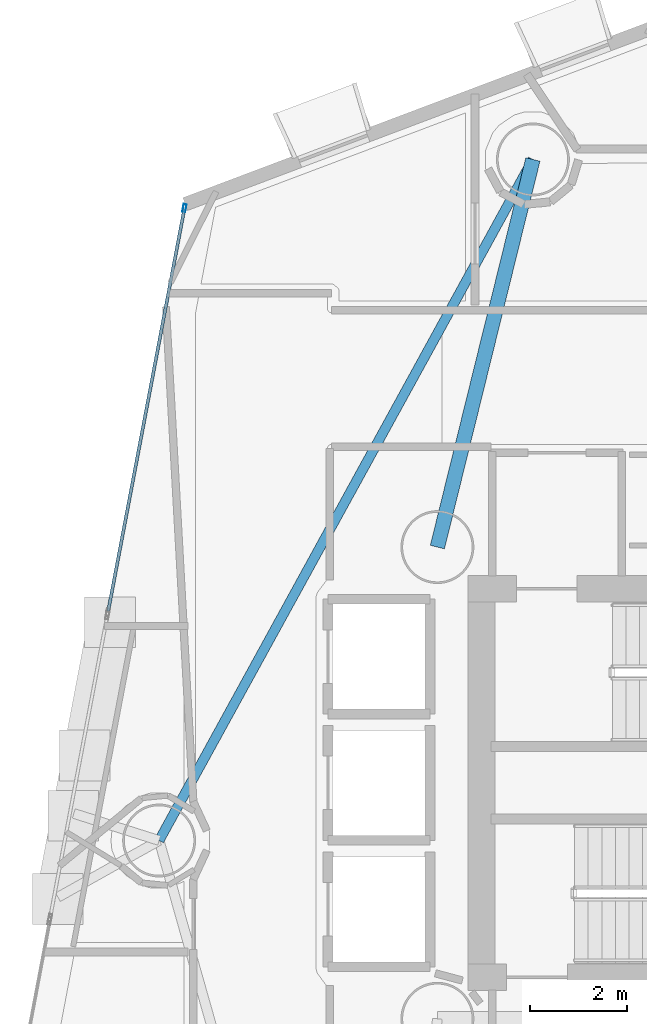
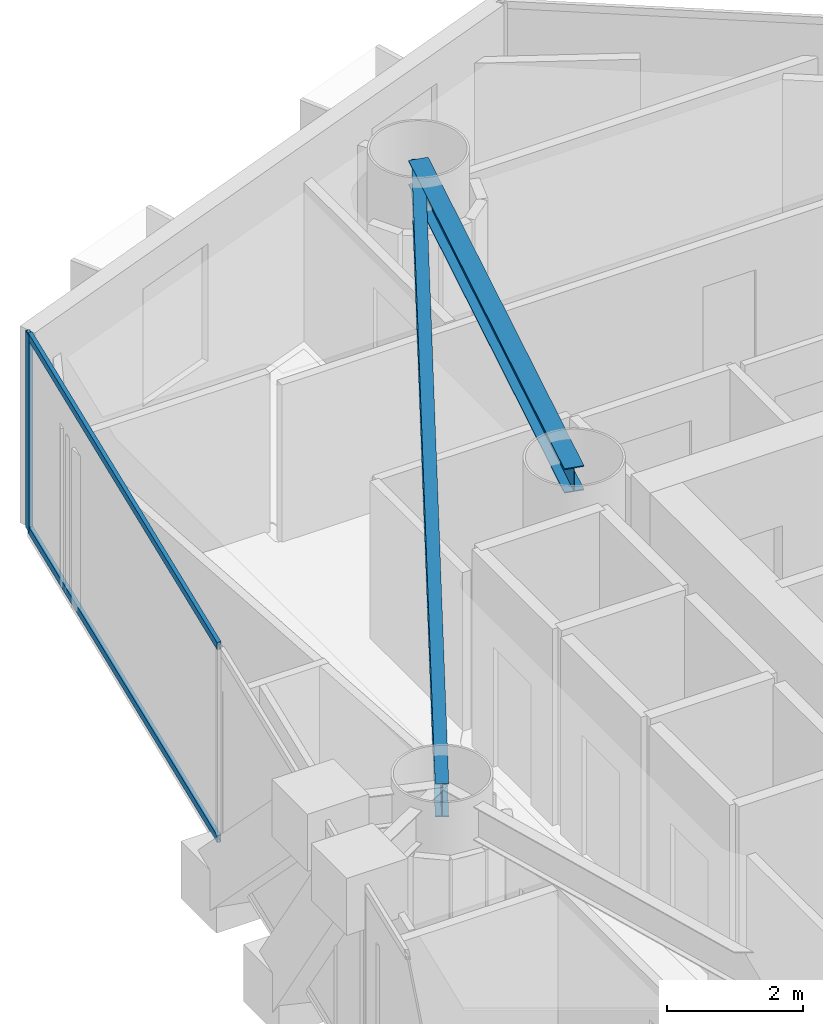
# One storey, part 10 of 24: 3 members, 2 beams, 1 element without a shape of its own.
"""IFC4 building model written with IfcOpenShell, lengths in metres."""

from ifc_helpers import new_model, si_unit, direction, frame, origin, origin_2d, place, context, subcontext, project, spatial, hollow_rectangle, i_section, extrude, material, layer, layer_set, material_profile, profile_set, type_object, element, aggregate, save


model = new_model("IFC4")

# Units and contexts
model_context = context("Model", 3, precision=1e-05, world=origin(), true_north=direction((0.0, 1.0)))
body_context = subcontext(model_context, "Body", "Model", "MODEL_VIEW")
ifc_project = project(units=[si_unit("LENGTHUNIT", "METRE"), si_unit("AREAUNIT", "SQUARE_METRE"), si_unit("VOLUMEUNIT", "CUBIC_METRE"), si_unit("PLANEANGLEUNIT", "RADIAN"), si_unit("MASSUNIT", "GRAM", prefix="KILO")], contexts=[model_context])

# Site, building, storey
site_placement = place(None, origin())
site = spatial("IfcSite", under=ifc_project, at=site_placement, CompositionType="ELEMENT")
building_placement = place(site_placement, origin())
building = spatial("IfcBuilding", under=site, at=building_placement, Name="Qianvela Tower", CompositionType="ELEMENT")
storey_placement = place(building_placement, frame((0.0, 0.0, 101.5)))
storey = spatial("IfcBuildingStorey", under=building, at=storey_placement, Name="L25", CompositionType="ELEMENT", Elevation=101.5)

# Beams
ifc_material_1 = material(Name="Steel Q355B", Category="steel")
ifc_material_profile_1 = material_profile(ifc_material_1, i_section(OverallWidth=0.300048828125, OverallDepth=0.43994140625, WebThickness=0.010986328125, FlangeThickness=0.01806640625, at=origin_2d()), Name="HM440x300x11x18")
ifc_profile_set_1 = profile_set([ifc_material_profile_1], Name="Steel Q355B")
beam_type_1 = type_object("IfcBeamType", Name="BM-HM440-COLL", PredefinedType="BEAM", material=ifc_profile_set_1)
beam_1_placement = place(storey_placement, frame((28.60009765625, 33.550048828125, 3.298095703125), z_axis=(0.239224384232, 0.970964311388, 0.0), x_axis=(-0.970964311388, 0.239224384232, 0.0)))
element("IfcBeam", 1, at=beam_1_placement, inside=storey, type_object=beam_type_1, Name="L25 Perimeter Ring Tie Girder 2B", PredefinedType="BEAM", context=body_context, shape_type="SweptSolid", body=[
    extrude(i_section(OverallWidth=0.300048828125, OverallDepth=0.43994140625, WebThickness=0.010986328125, FlangeThickness=0.01806640625, at=origin_2d()), origin(), (0.0, 0.0, 1.0), 8.209228515625),
])
ifc_material_2 = material(Name="Steel Q355B", Category="steel")
ifc_material_profile_2 = material_profile(ifc_material_2, i_section(OverallWidth=0.199951171875, OverallDepth=0.60009765625, WebThickness=0.010986328125, FlangeThickness=0.01708984375, at=origin_2d()), Name="HN600x200x11x17")
ifc_profile_set_2 = profile_set([ifc_material_profile_2], Name="Steel Q355B")
beam_type_2 = type_object("IfcBeamType", Name="BM-HN600-GIRD", PredefinedType="BEAM", material=ifc_profile_set_2)
beam_2_placement = place(storey_placement, frame((30.56396484375, 41.52099609375, 3.218017578125), z_axis=(-0.481118353038, -0.876655650965, 0.0), x_axis=(0.876655650965, -0.481118353038, 0.0)))
element("IfcBeam", 2, at=beam_2_placement, inside=storey, type_object=beam_type_2, Name="L25 Perimeter Ring Spandrel Girder 3", PredefinedType="BEAM", context=body_context, shape_type="SweptSolid", body=[
    extrude(i_section(OverallWidth=0.199951171875, OverallDepth=0.60009765625, WebThickness=0.010986328125, FlangeThickness=0.01708984375, at=origin_2d()), origin(), (0.0, 0.0, 1.0), 15.975341796875),
])

# Curtain wall, members
ifc_material_3 = material(Name="Anodised Architectural Aluminium and Low-E Glass", Category="aluminium")
ifc_layer = layer(ifc_material_3, 0.169921875)
ifc_layer_set = layer_set([ifc_layer], Name="Anodised Architectural Aluminium and Low-E Glass")
curtain_wall_type = type_object("IfcCurtainWallType", Name="CW-COLIV-Z34", PredefinedType="USERDEFINED", material=ifc_layer_set)
curtain_wall_placement = place(storey_placement, origin())
curtain_wall = element("IfcCurtainWall", 3, at=curtain_wall_placement, inside=storey, type_object=curtain_wall_type, Name="L25 CW-COLIV-Z34 Curtain Wall 04A", ObjectType="CURTAIN_WALL_SYSTEM", PredefinedType="USERDEFINED")
ifc_material_4 = material(Name="Anodised Architectural Aluminium 6063-T6", Category="aluminium")
ifc_material_profile_3 = material_profile(ifc_material_4, hollow_rectangle(XDim=0.06494140625, YDim=0.159912109375, WallThickness=0.0048828125, at=origin_2d()), Name="ALU-MULL-65x160")
ifc_profile_set_3 = profile_set([ifc_material_profile_3], Name="Anodised Architectural Aluminium 6063-T6")
member_type_1 = type_object("IfcMemberType", Name="CW-COLIV-Z34-MULL", PredefinedType="MULLION", material=ifc_profile_set_3)
member_1_placement = place(storey_placement, frame((23.399169921875, 40.5224609375, 0.0), z_axis=(0.0, 0.0, 1.0), x_axis=(0.982547378796, -0.186012495338, 0.0)))
member_1 = element("IfcMember", 4, at=member_1_placement, type_object=member_type_1, Name="CW-4 mullion 1", PredefinedType="MULLION", context=body_context, shape_type="SweptSolid", body=[
    extrude(hollow_rectangle(XDim=0.06494140625, YDim=0.159912109375, WallThickness=0.0048828125, at=origin_2d()), origin(), (0.0, 0.0, 1.0), 3.52001953125),
])
ifc_material_5 = material(Name="Anodised Architectural Aluminium 6063-T6", Category="aluminium")
ifc_material_profile_4 = material_profile(ifc_material_5, hollow_rectangle(XDim=0.06494140625, YDim=0.1298828125, WallThickness=0.00439453125, at=origin_2d()), Name="ALU-TRAN-65x130")
ifc_profile_set_4 = profile_set([ifc_material_profile_4], Name="Anodised Architectural Aluminium 6063-T6")
member_type_2 = type_object("IfcMemberType", Name="CW-COLIV-Z34-TRAN", PredefinedType="USERDEFINED", material=ifc_profile_set_4)
member_2_placement = place(storey_placement, frame((23.393310546875, 40.490478515625, 0.032470703125), z_axis=(-0.186011490327, -0.98254756906, 0.0), x_axis=(0.98254756906, -0.186011490327, 0.0)))
member_2 = element("IfcMember", 5, at=member_2_placement, type_object=member_type_2, Name="CW-4 transom 1.1", ObjectType="TRANSOM", PredefinedType="USERDEFINED", context=body_context, shape_type="SweptSolid", body=[
    extrude(hollow_rectangle(XDim=0.06494140625, YDim=0.1298828125, WallThickness=0.00439453125, at=origin_2d()), origin(), (0.0, 0.0, 1.0), 8.39990234375),
])
member_3_placement = place(storey_placement, frame((23.393310546875, 40.490478515625, 3.487548828125), z_axis=(-0.186011490327, -0.98254756906, 0.0), x_axis=(0.98254756906, -0.186011490327, 0.0)))
member_3 = element("IfcMember", 6, at=member_3_placement, type_object=member_type_2, Name="CW-4 transom 1.2", ObjectType="TRANSOM", PredefinedType="USERDEFINED", context=body_context, shape_type="SweptSolid", body=[
    extrude(hollow_rectangle(XDim=0.06494140625, YDim=0.1298828125, WallThickness=0.00439453125, at=origin_2d()), origin(), (0.0, 0.0, 1.0), 8.39990234375),
])
aggregate(curtain_wall, [member_1, member_2, member_3])

save(model, "model.ifc")
